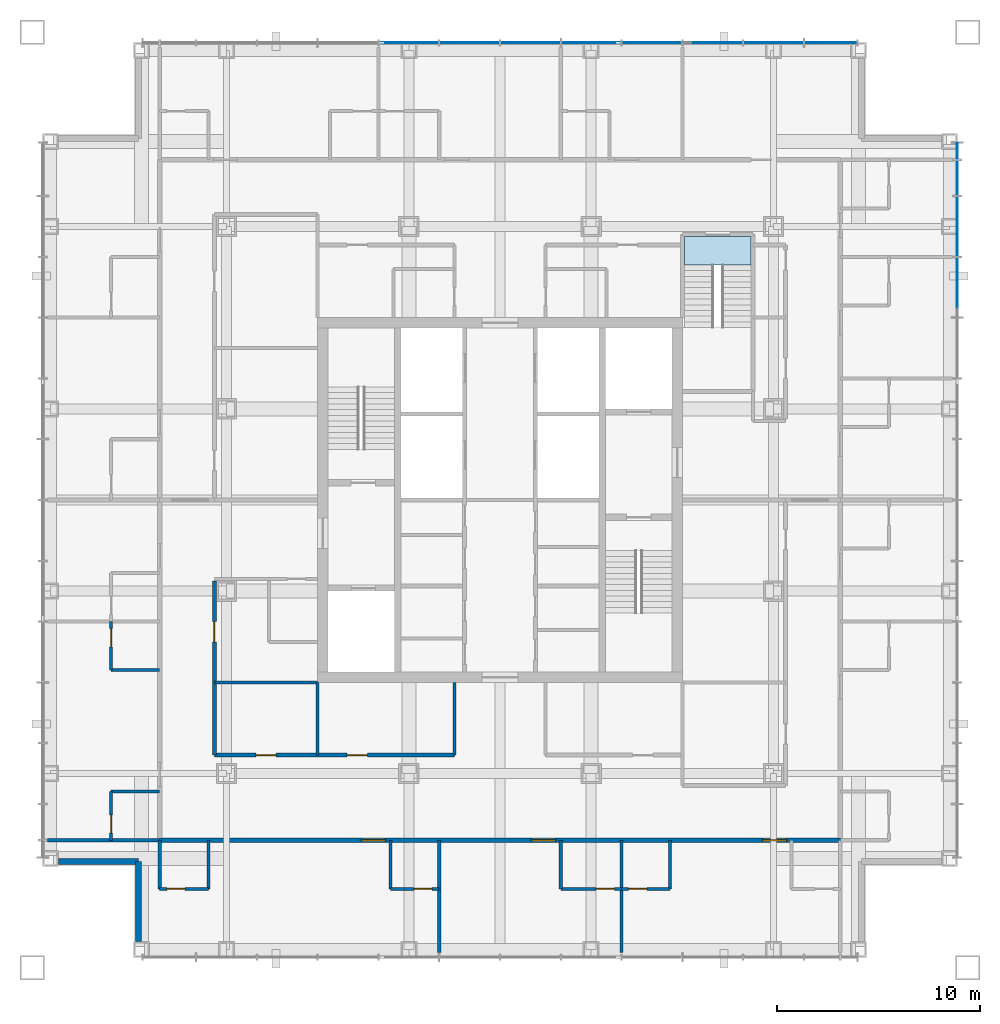
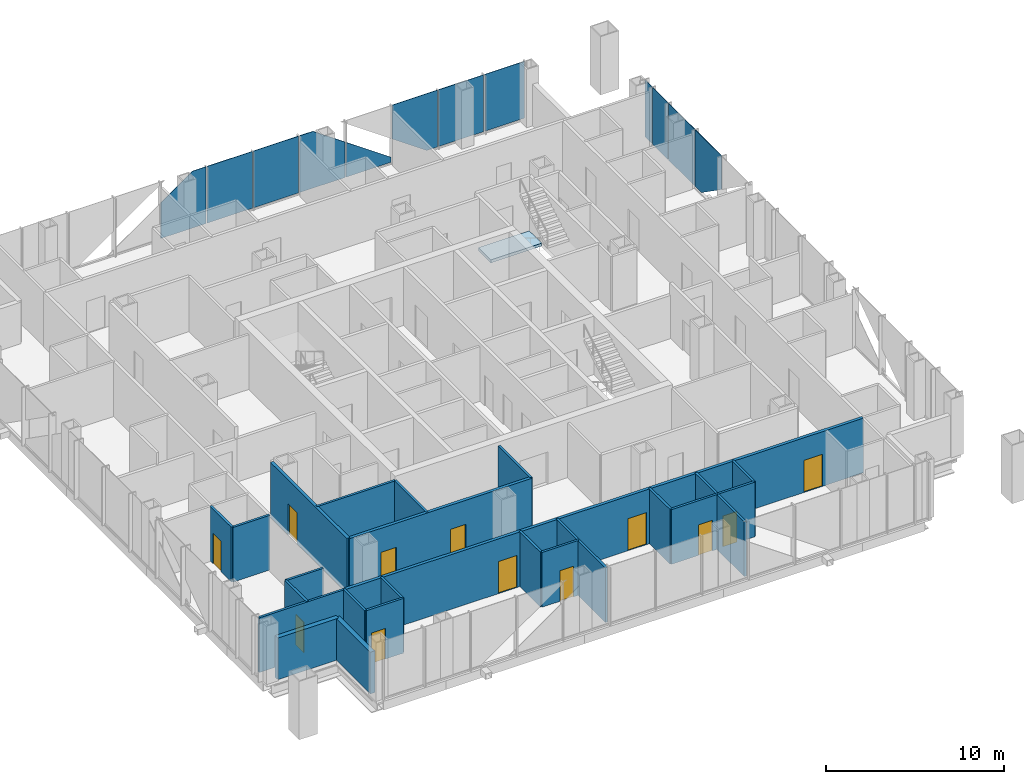
# One storey, part 7 of 17: 24 walls, 12 doors, 12 plates, 1 slab, 12 openings, 3 elements without a shape of their own.
"""IFC4 building model written with IfcOpenShell, lengths in metres."""

from ifc_helpers import new_model, si_unit, direction, frame, frame_2d, origin, origin_2d, place, context, subcontext, project, spatial, polyline, rectangle, outline, extrude, material, layer, layer_set, type_object, element, fill, aggregate, save


model = new_model("IFC4")

# Units and contexts
model_context = context("Model", 3, precision=1e-05, world=origin(), true_north=direction((0.0, 1.0)))
body_context = subcontext(model_context, "Body", "Model", "MODEL_VIEW")
ifc_project = project(units=[si_unit("LENGTHUNIT", "METRE"), si_unit("AREAUNIT", "SQUARE_METRE"), si_unit("VOLUMEUNIT", "CUBIC_METRE"), si_unit("PLANEANGLEUNIT", "RADIAN"), si_unit("MASSUNIT", "GRAM", prefix="KILO")], contexts=[model_context])

# Site, building, storey
site_placement = place(None, origin())
site = spatial("IfcSite", under=ifc_project, at=site_placement, CompositionType="ELEMENT")
building_placement = place(site_placement, origin())
building = spatial("IfcBuilding", under=site, at=building_placement, Name="Malebo Sky Hospital", CompositionType="ELEMENT")
storey_placement = place(building_placement, frame((0.0, 0.0, 185.0)))
storey = spatial("IfcBuildingStorey", under=building, at=storey_placement, Name="L44", CompositionType="ELEMENT", Elevation=185.0)

# Stair, slab
ifc_material_1 = material(Name="Concrete C40/50", Category="concrete")
stair_type = type_object("IfcStairType", Name="HALF-TURN STAIR 1400 R167", PredefinedType="HALF_TURN_STAIR", material=ifc_material_1)
stair_placement = place(storey_placement, origin())
stair = element("IfcStair", 1, at=stair_placement, inside=storey, type_object=stair_type, Name="Stair S3 L44 type ST1B", PredefinedType="HALF_TURN_STAIR")
ifc_layer_1 = layer(ifc_material_1, 0.199951171875)
ifc_layer_set_1 = layer_set([ifc_layer_1], Name="STAIR LANDING 200")
slab_type = type_object("IfcSlabType", Name="STAIR LANDING 200", PredefinedType="LANDING", material=ifc_layer_set_1)
slab_placement = place(storey_placement, frame((0.0, 0.0, -0.199951171875)))
slab = element("IfcSlab", 2, at=slab_placement, type_object=slab_type, Name="S3 landing 1", PredefinedType="LANDING", context=body_context, shape_type="SweptSolid", body=[
    extrude(outline(polyline([(69.10009765625, 73.60009765625), (72.39990234375, 73.60009765625), (72.39990234375, 75.0), (69.10009765625, 75.0), (69.10009765625, 73.60009765625)])), origin(), (0.0, 0.0, 1.0), 0.199951171875),
])
aggregate(stair, [slab])

# Curtain wall, plates
ifc_material_2 = material(Name="Anodised aluminium, natural silver", Category="aluminium")
ifc_layer_2 = layer(ifc_material_2, 0.25)
ifc_layer_set_2 = layer_set([ifc_layer_2], Name="WARD CURTAIN WALL NORTH AND SOUTH")
curtain_wall_type_1 = type_object("IfcCurtainWallType", Name="WARD CURTAIN WALL NORTH AND SOUTH", PredefinedType="NOTDEFINED", material=ifc_layer_set_2)
curtain_wall_1_placement = place(storey_placement, origin())
curtain_wall_1 = element("IfcCurtainWall", 3, at=curtain_wall_1_placement, inside=storey, type_object=curtain_wall_type_1, Name="NS curtain wall N", PredefinedType="NOTDEFINED")
ifc_material_3 = material(Name="Clear low-iron double glazing", Category="glass")
ifc_layer_3 = layer(ifc_material_3, 0.031982421875)
ifc_layer_set_3 = layer_set([ifc_layer_3], Name="VISION PANEL CLEAR 32")
plate_type = type_object("IfcPlateType", Name="VISION PANEL CLEAR 32", PredefinedType="CURTAIN_PANEL", material=ifc_layer_set_3)
plate_1_placement = place(storey_placement, frame((55.5, 84.574951171875, 0.10009765625), z_axis=(0.0, 0.0, 1.0), x_axis=(1.0, 0.0, 0.0)))
plate_1 = element("IfcPlate", 4, at=plate_1_placement, type_object=plate_type, Name="Panel 6", PredefinedType="CURTAIN_PANEL", context=body_context, shape_type="SweptSolid", body=[
    extrude(outline(polyline([(-1.46240234375, 0.0), (1.46240234375, 0.0), (1.46240234375, 3.889892578125), (0.594970703125, 3.889892578125), (-1.46240234375, 2.44482421875), (-1.46240234375, 0.0)])), frame((0.0, 0.01611328125, 0.0), z_axis=(0.0, -1.0, 0.0), x_axis=(1.0, 0.0, 0.0)), (0.0, 0.0, 1.0), 0.031982421875),
])
plate_2_placement = place(storey_placement, frame((58.5, 84.574951171875, 0.10009765625), z_axis=(0.0, 0.0, 1.0), x_axis=(1.0, 0.0, 0.0)))
plate_2 = element("IfcPlate", 5, at=plate_2_placement, type_object=plate_type, Name="Panel 7", PredefinedType="CURTAIN_PANEL", context=body_context, shape_type="SweptSolid", body=[
    extrude(rectangle(XDim=2.925048828125, YDim=0.031982421875, at=origin_2d()), origin(), (0.0, 0.0, 1.0), 3.889892578125),
])
plate_3_placement = place(storey_placement, frame((61.5, 84.574951171875, 0.10009765625), z_axis=(0.0, 0.0, 1.0), x_axis=(1.0, 0.0, 0.0)))
plate_3 = element("IfcPlate", 6, at=plate_3_placement, type_object=plate_type, Name="Panel 8", PredefinedType="CURTAIN_PANEL", context=body_context, shape_type="SweptSolid", body=[
    extrude(rectangle(XDim=2.925048828125, YDim=0.031982421875, at=origin_2d()), origin(), (0.0, 0.0, 1.0), 3.889892578125),
])
plate_4_placement = place(storey_placement, frame((64.5, 84.574951171875, 0.10009765625), z_axis=(0.0, 0.0, 1.0), x_axis=(1.0, 0.0, 0.0)))
plate_4 = element("IfcPlate", 7, at=plate_4_placement, type_object=plate_type, Name="Panel 9", PredefinedType="CURTAIN_PANEL", context=body_context, shape_type="SweptSolid", body=[
    extrude(outline(polyline([(-1.46240234375, 0.0), (1.46240234375, 0.0), (1.46240234375, 2.44482421875), (-0.594970703125, 3.889892578125), (-1.46240234375, 3.889892578125), (-1.46240234375, 0.0)])), frame((0.0, 0.01611328125, 0.0), z_axis=(0.0, -1.0, 0.0), x_axis=(1.0, 0.0, 0.0)), (0.0, 0.0, 1.0), 0.031982421875),
])
plate_5_placement = place(storey_placement, frame((67.5, 84.574951171875, 0.10009765625), z_axis=(0.0, 0.0, 1.0), x_axis=(1.0, 0.0, 0.0)))
plate_5 = element("IfcPlate", 8, at=plate_5_placement, type_object=plate_type, Name="Panel 10", PredefinedType="CURTAIN_PANEL", context=body_context, shape_type="SweptSolid", body=[
    extrude(outline(polyline([(-1.46240234375, 0.0), (1.46240234375, 0.0), (1.46240234375, 0.337646484375), (-1.46240234375, 2.39208984375), (-1.46240234375, 0.0)])), frame((0.0, 0.01611328125, 0.0), z_axis=(0.0, -1.0, 0.0), x_axis=(1.0, 0.0, 0.0)), (0.0, 0.0, 1.0), 0.031982421875),
])
plate_6_placement = place(storey_placement, frame((70.5, 84.574951171875, 0.10009765625), z_axis=(0.0, 0.0, 1.0), x_axis=(1.0, 0.0, 0.0)))
plate_6 = element("IfcPlate", 9, at=plate_6_placement, type_object=plate_type, Name="Panel 11", PredefinedType="CURTAIN_PANEL", context=body_context, shape_type="SweptSolid", body=[
    extrude(outline(polyline([(0.77197265625, 0.0), (1.46240234375, 0.0), (1.46240234375, 3.889892578125), (-1.46240234375, 3.889892578125), (-1.46240234375, 1.5693359375), (0.77197265625, 0.0)])), frame((0.0, 0.01611328125, 0.0), z_axis=(0.0, -1.0, 0.0), x_axis=(1.0, 0.0, 0.0)), (0.0, 0.0, 1.0), 0.031982421875),
])
plate_7_placement = place(storey_placement, frame((73.5, 84.574951171875, 0.10009765625), z_axis=(0.0, 0.0, 1.0), x_axis=(1.0, 0.0, 0.0)))
plate_7 = element("IfcPlate", 10, at=plate_7_placement, type_object=plate_type, Name="Panel 12", PredefinedType="CURTAIN_PANEL", context=body_context, shape_type="SweptSolid", body=[
    extrude(rectangle(XDim=2.925048828125, YDim=0.031982421875, at=origin_2d()), origin(), (0.0, 0.0, 1.0), 3.889892578125),
])
plate_8_placement = place(storey_placement, frame((76.331298828125, 84.574951171875, 0.10009765625), z_axis=(0.0, 0.0, 1.0), x_axis=(1.0, 0.0, 0.0)))
plate_8 = element("IfcPlate", 11, at=plate_8_placement, type_object=plate_type, Name="Panel 13", PredefinedType="CURTAIN_PANEL", context=body_context, shape_type="SweptSolid", body=[
    extrude(rectangle(XDim=2.58740234375, YDim=0.031982421875, at=origin_2d()), origin(), (0.0, 0.0, 1.0), 3.889892578125),
])
aggregate(curtain_wall_1, [plate_1, plate_2, plate_3, plate_4, plate_5, plate_6, plate_7, plate_8])

ifc_layer_4 = layer(ifc_material_2, 0.25)
ifc_layer_set_4 = layer_set([ifc_layer_4], Name="WARD CURTAIN WALL EAST AND WEST")
curtain_wall_type_2 = type_object("IfcCurtainWallType", Name="WARD CURTAIN WALL EAST AND WEST", PredefinedType="NOTDEFINED", material=ifc_layer_set_4)
curtain_wall_2_placement = place(storey_placement, origin())
curtain_wall_2 = element("IfcCurtainWall", 12, at=curtain_wall_2_placement, inside=storey, type_object=curtain_wall_type_2, Name="EW curtain wall E", PredefinedType="NOTDEFINED")
plate_9_placement = place(storey_placement, frame((82.574951171875, 79.231201171875, 0.10009765625), z_axis=(0.0, 0.0, 1.0), x_axis=(0.0, -1.0, 0.0)))
plate_9 = element("IfcPlate", 13, at=plate_9_placement, type_object=plate_type, Name="Panel 1", PredefinedType="CURTAIN_PANEL", context=body_context, shape_type="SweptSolid", body=[
    extrude(rectangle(XDim=0.78759765625, YDim=0.031982421875, at=origin_2d()), origin(), (0.0, 0.0, 1.0), 3.889892578125),
])
plate_10_placement = place(storey_placement, frame((82.574951171875, 77.89990234375, 0.10009765625), z_axis=(0.0, 0.0, 1.0), x_axis=(0.0, -1.0, 0.0)))
plate_10 = element("IfcPlate", 14, at=plate_10_placement, type_object=plate_type, Name="Panel 2", PredefinedType="CURTAIN_PANEL", context=body_context, shape_type="SweptSolid", body=[
    extrude(rectangle(XDim=1.72509765625, YDim=0.031982421875, at=origin_2d()), origin(), (0.0, 0.0, 1.0), 3.889892578125),
])
plate_11_placement = place(storey_placement, frame((82.574951171875, 75.5, 0.10009765625), z_axis=(0.0, 0.0, 1.0), x_axis=(0.0, -1.0, 0.0)))
plate_11 = element("IfcPlate", 15, at=plate_11_placement, type_object=plate_type, Name="Panel 3", PredefinedType="CURTAIN_PANEL", context=body_context, shape_type="SweptSolid", body=[
    extrude(rectangle(XDim=2.925048828125, YDim=0.031982421875, at=origin_2d()), origin(), (0.0, 0.0, 1.0), 3.889892578125),
])
plate_12_placement = place(storey_placement, frame((82.574951171875, 72.5, 0.10009765625), z_axis=(0.0, 0.0, 1.0), x_axis=(0.0, -1.0, 0.0)))
plate_12 = element("IfcPlate", 16, at=plate_12_placement, type_object=plate_type, Name="Panel 4", PredefinedType="CURTAIN_PANEL", context=body_context, shape_type="SweptSolid", body=[
    extrude(outline(polyline([(-1.46240234375, 0.0), (-0.77197265625, 0.0), (1.46240234375, 1.5693359375), (1.46240234375, 3.889892578125), (-1.46240234375, 3.889892578125), (-1.46240234375, 0.0)])), frame((0.0, 0.01611328125, 0.0), z_axis=(0.0, -1.0, 0.0), x_axis=(1.0, 0.0, 0.0)), (0.0, 0.0, 1.0), 0.031982421875),
])
aggregate(curtain_wall_2, [plate_9, plate_10, plate_11, plate_12])

# Wall, opening, door
ifc_material_4 = material(Name="Gypsum board on steel studs", Category="steel")
ifc_layer_5 = layer(ifc_material_4, 0.199951171875)
ifc_layer_set_5 = layer_set([ifc_layer_5], Name="CORRIDOR WALL 200")
wall_type_1 = type_object("IfcWallType", Name="CORRIDOR WALL 200", PredefinedType="PARTITIONING", material=ifc_layer_set_5)
wall_1_placement = place(storey_placement, frame((45.89990234375, 49.39990234375, 0.0), z_axis=(0.0, 0.0, 1.0), x_axis=(0.0, 1.0, 0.0)))
wall_1 = element("IfcWall", 17, at=wall_1_placement, inside=storey, type_object=wall_type_1, Name="Corridor Wall 200 WCI1", PredefinedType="PARTITIONING", context=body_context, shape_type="SweptSolid", body=[
    extrude(rectangle(XDim=8.60009765625, YDim=0.199951171875, at=frame_2d((4.300048828125, 0.0))), origin(), (0.0, 0.0, 1.0), 3.75),
])
opening_1_placement = place(wall_1_placement, frame((5.60009765625, 0.0, 0.0)))
opening_1 = element("IfcOpeningElement", 18, at=opening_1_placement, cuts=wall_1, Name="Opening D03", PredefinedType="OPENING", context=body_context, shape_type="SweptSolid", body=[
    extrude(rectangle(XDim=1.0, YDim=2.10009765625, at=frame_2d((0.5, 1.050048828125))), frame((0.0, 0.10986328125, 0.0), z_axis=(0.0, -1.0, 0.0), x_axis=(1.0, 0.0, 0.0)), (0.0, 0.0, 1.0), 0.219970703125),
])
ifc_material_5 = material(Name="Hardwood-faced door leaf in steel frame", Category="steel")
door_type_1 = type_object("IfcDoorType", Name="ROOM DOOR 1000", OperationType="SINGLE_SWING_LEFT", PredefinedType="DOOR", material=ifc_material_5)
door_1_placement = place(opening_1_placement, origin())
door_1 = element("IfcDoor", 19, at=door_1_placement, inside=storey, type_object=door_type_1, Name="Linen store door", OperationType="SINGLE_SWING_LEFT", OverallHeight=2.10009765625, OverallWidth=1.0, PredefinedType="DOOR", context=body_context, shape_type="SweptSolid", body=[
    extrude(rectangle(XDim=1.0, YDim=2.10009765625, at=frame_2d((0.5, 1.050048828125))), frame((0.0, 0.02490234375, 0.0), z_axis=(0.0, -1.0, 0.0), x_axis=(1.0, 0.0, 0.0)), (0.0, 0.0, 1.0), 0.050048828125),
])
fill(opening_1, door_1)

# Wall, openings, doors
wall_2_placement = place(storey_placement, frame((76.800048828125, 45.199951171875, 0.0), z_axis=(0.0, 0.0, 1.0), x_axis=(-1.0, 0.0, 0.0)))
wall_2 = element("IfcWall", 20, at=wall_2_placement, inside=storey, type_object=wall_type_1, Name="Corridor Wall 200 SCO", PredefinedType="PARTITIONING", context=body_context, shape_type="SweptSolid", body=[
    extrude(rectangle(XDim=33.60009765625, YDim=0.199951171875, at=frame_2d((16.800048828125, 0.0))), origin(), (0.0, 0.0, 1.0), 3.75),
])
opening_2_placement = place(wall_2_placement, frame((2.64990234375, 0.0, 0.0)))
opening_2 = element("IfcOpeningElement", 21, at=opening_2_placement, cuts=wall_2, Name="Opening D01", PredefinedType="OPENING", context=body_context, shape_type="SweptSolid", body=[
    extrude(rectangle(XDim=1.199951171875, YDim=2.199951171875, at=frame_2d((0.60009765625, 1.10009765625))), frame((0.0, 0.10986328125, 0.0), z_axis=(0.0, -1.0, 0.0), x_axis=(1.0, 0.0, 0.0)), (0.0, 0.0, 1.0), 0.219970703125),
])
opening_3_placement = place(wall_2_placement, frame((14.050048828125, 0.0, 0.0)))
opening_3 = element("IfcOpeningElement", 22, at=opening_3_placement, cuts=wall_2, Name="Opening D01", PredefinedType="OPENING", context=body_context, shape_type="SweptSolid", body=[
    extrude(rectangle(XDim=1.199951171875, YDim=2.199951171875, at=frame_2d((0.60009765625, 1.10009765625))), frame((0.0, 0.10986328125, 0.0), z_axis=(0.0, -1.0, 0.0), x_axis=(1.0, 0.0, 0.0)), (0.0, 0.0, 1.0), 0.219970703125),
])
opening_4_placement = place(wall_2_placement, frame((22.449951171875, 0.0, 0.0)))
opening_4 = element("IfcOpeningElement", 23, at=opening_4_placement, cuts=wall_2, Name="Opening D01", PredefinedType="OPENING", context=body_context, shape_type="SweptSolid", body=[
    extrude(rectangle(XDim=1.199951171875, YDim=2.199951171875, at=frame_2d((0.60009765625, 1.10009765625))), frame((0.0, 0.10986328125, 0.0), z_axis=(0.0, -1.0, 0.0), x_axis=(1.0, 0.0, 0.0)), (0.0, 0.0, 1.0), 0.219970703125),
])
door_type_2 = type_object("IfcDoorType", Name="BED DOOR 1200", OperationType="SINGLE_SWING_LEFT", PredefinedType="DOOR", material=ifc_material_5)
door_2_placement = place(opening_2_placement, origin())
door_2 = element("IfcDoor", 24, at=door_2_placement, inside=storey, type_object=door_type_2, Name="Four-bed bay door", OperationType="SINGLE_SWING_LEFT", OverallHeight=2.199951171875, OverallWidth=1.199951171875, PredefinedType="DOOR", context=body_context, shape_type="SweptSolid", body=[
    extrude(rectangle(XDim=1.199951171875, YDim=2.199951171875, at=frame_2d((0.60009765625, 1.10009765625))), frame((0.0, 0.02490234375, 0.0), z_axis=(0.0, -1.0, 0.0), x_axis=(1.0, 0.0, 0.0)), (0.0, 0.0, 1.0), 0.050048828125),
])
fill(opening_2, door_2)
door_3_placement = place(opening_3_placement, origin())
door_3 = element("IfcDoor", 25, at=door_3_placement, inside=storey, type_object=door_type_2, Name="Two-bed room door", OperationType="SINGLE_SWING_LEFT", OverallHeight=2.199951171875, OverallWidth=1.199951171875, PredefinedType="DOOR", context=body_context, shape_type="SweptSolid", body=[
    extrude(rectangle(XDim=1.199951171875, YDim=2.199951171875, at=frame_2d((0.60009765625, 1.10009765625))), frame((0.0, 0.02490234375, 0.0), z_axis=(0.0, -1.0, 0.0), x_axis=(1.0, 0.0, 0.0)), (0.0, 0.0, 1.0), 0.050048828125),
])
fill(opening_3, door_3)
door_4_placement = place(opening_4_placement, origin())
door_4 = element("IfcDoor", 26, at=door_4_placement, inside=storey, type_object=door_type_2, Name="Four-bed bay door", OperationType="SINGLE_SWING_LEFT", OverallHeight=2.199951171875, OverallWidth=1.199951171875, PredefinedType="DOOR", context=body_context, shape_type="SweptSolid", body=[
    extrude(rectangle(XDim=1.199951171875, YDim=2.199951171875, at=frame_2d((0.60009765625, 1.10009765625))), frame((0.0, 0.02490234375, 0.0), z_axis=(0.0, -1.0, 0.0), x_axis=(1.0, 0.0, 0.0)), (0.0, 0.0, 1.0), 0.050048828125),
])
fill(opening_4, door_4)

wall_3_placement = place(storey_placement, frame((57.75, 49.39990234375, 0.0), z_axis=(0.0, 0.0, 1.0), x_axis=(-1.0, 0.0, 0.0)))
wall_3 = element("IfcWall", 27, at=wall_3_placement, inside=storey, type_object=wall_type_1, Name="Corridor Wall 200 SCI2", PredefinedType="PARTITIONING", context=body_context, shape_type="SweptSolid", body=[
    extrude(rectangle(XDim=11.85009765625, YDim=0.199951171875, at=frame_2d((5.925048828125, 0.0))), origin(), (0.0, 0.0, 1.0), 3.75),
])
opening_5_placement = place(wall_3_placement, frame((4.300048828125, 0.0, 0.0)))
opening_5 = element("IfcOpeningElement", 28, at=opening_5_placement, cuts=wall_3, Name="Opening D03", PredefinedType="OPENING", context=body_context, shape_type="SweptSolid", body=[
    extrude(rectangle(XDim=1.0, YDim=2.10009765625, at=frame_2d((0.5, 1.050048828125))), frame((0.0, 0.10986328125, 0.0), z_axis=(0.0, -1.0, 0.0), x_axis=(1.0, 0.0, 0.0)), (0.0, 0.0, 1.0), 0.219970703125),
])
opening_6_placement = place(wall_3_placement, frame((8.800048828125, 0.0, 0.0)))
opening_6 = element("IfcOpeningElement", 29, at=opening_6_placement, cuts=wall_3, Name="Opening D03", PredefinedType="OPENING", context=body_context, shape_type="SweptSolid", body=[
    extrude(rectangle(XDim=1.0, YDim=2.10009765625, at=frame_2d((0.5, 1.050048828125))), frame((0.0, 0.10986328125, 0.0), z_axis=(0.0, -1.0, 0.0), x_axis=(1.0, 0.0, 0.0)), (0.0, 0.0, 1.0), 0.219970703125),
])
door_5_placement = place(opening_5_placement, origin())
door_5 = element("IfcDoor", 30, at=door_5_placement, inside=storey, type_object=door_type_1, Name="Antenatal education room door", OperationType="SINGLE_SWING_RIGHT", OverallHeight=2.10009765625, OverallWidth=1.0, PredefinedType="DOOR", context=body_context, shape_type="SweptSolid", body=[
    extrude(rectangle(XDim=1.0, YDim=2.10009765625, at=frame_2d((0.5, 1.050048828125))), frame((0.0, 0.02490234375, 0.0), z_axis=(0.0, -1.0, 0.0), x_axis=(1.0, 0.0, 0.0)), (0.0, 0.0, 1.0), 0.050048828125),
])
fill(opening_5, door_5)
door_6_placement = place(opening_6_placement, origin())
door_6 = element("IfcDoor", 31, at=door_6_placement, inside=storey, type_object=door_type_1, Name="Dirty utility room door", OperationType="SINGLE_SWING_RIGHT", OverallHeight=2.10009765625, OverallWidth=1.0, PredefinedType="DOOR", context=body_context, shape_type="SweptSolid", body=[
    extrude(rectangle(XDim=1.0, YDim=2.10009765625, at=frame_2d((0.5, 1.050048828125))), frame((0.0, 0.02490234375, 0.0), z_axis=(0.0, -1.0, 0.0), x_axis=(1.0, 0.0, 0.0)), (0.0, 0.0, 1.0), 0.050048828125),
])
fill(opening_6, door_6)

# Walls
ifc_material_6 = material(Name="Anodised aluminium rainscreen on steel framing", Category="steel")
ifc_layer_6 = layer(ifc_material_6, 0.300048828125)
ifc_layer_set_6 = layer_set([ifc_layer_6], Name="NOTCH RAINSCREEN WALL 300")
wall_type_2 = type_object("IfcWallType", Name="NOTCH RAINSCREEN WALL 300", PredefinedType="ELEMENTEDWALL", material=ifc_layer_set_6)
for number, where, z_axis, x_axis, name in (
    (32, (42.14990234375, 40.199951171875, 0.0), (0.0, 0.0, 1.0), (0.0, 1.0, 0.0), "Notch rainscreen wall S1 L44"),
    (33, (42.14990234375, 44.14990234375, 0.0), (0.0, 0.0, 1.0), (-1.0, 0.0, 0.0), "Notch rainscreen wall S2 L44"),
):
    element("IfcWall", number, at=place(storey_placement, frame(where, z_axis=z_axis, x_axis=x_axis)), inside=storey, type_object=wall_type_2, Name=name, PredefinedType="ELEMENTEDWALL", context=body_context, shape_type="SweptSolid", body=[
        extrude(rectangle(XDim=3.949951171875, YDim=0.300048828125, at=frame_2d((1.97509765625, 0.0))), origin(), (0.0, 0.0, 1.0), 2.85009765625),
    ])
ifc_layer_7 = layer(ifc_material_4, 0.14990234375)
ifc_layer_set_7 = layer_set([ifc_layer_7], Name="PARTITION 150")
wall_type_3 = type_object("IfcWallType", Name="PARTITION 150", PredefinedType="PARTITIONING", material=ifc_layer_set_7)
wall_4_placement = place(storey_placement, frame((43.199951171875, 45.199951171875, 0.0), z_axis=(0.0, 0.0, 1.0), x_axis=(-1.0, 0.0, 0.0)))
element("IfcWall", 34, at=wall_4_placement, inside=storey, type_object=wall_type_3, Name="Partition 150 WP0", PredefinedType="PARTITIONING", context=body_context, shape_type="SweptSolid", body=[
    extrude(rectangle(XDim=5.550048828125, YDim=0.14990234375, at=frame_2d((2.77490234375, 0.0))), origin(), (0.0, 0.0, 1.0), 3.75),
])

# Wall, opening, door
wall_5_placement = place(storey_placement, frame((40.800048828125, 45.199951171875, 0.0), z_axis=(0.0, 0.0, 1.0), x_axis=(0.0, 1.0, 0.0)))
wall_5 = element("IfcWall", 35, at=wall_5_placement, inside=storey, type_object=wall_type_3, Name="Partition 150 WE0F", PredefinedType="PARTITIONING", context=body_context, shape_type="SweptSolid", body=[
    extrude(rectangle(XDim=2.400146484375, YDim=0.14990234375, at=frame_2d((1.2001953125, 0.0))), origin(), (0.0, 0.0, 1.0), 3.75),
])
opening_7_placement = place(wall_5_placement, frame((0.35009765625, 0.0, 0.0)))
opening_7 = element("IfcOpeningElement", 36, at=opening_7_placement, cuts=wall_5, Name="Opening D02", PredefinedType="OPENING", context=body_context, shape_type="SweptSolid", body=[
    extrude(rectangle(XDim=0.89990234375, YDim=2.10009765625, at=frame_2d((0.449951171875, 1.050048828125))), frame((0.0, 0.0849609375, 0.0), z_axis=(0.0, -1.0, 0.0), x_axis=(1.0, 0.0, 0.0)), (0.0, 0.0, 1.0), 0.169921875),
])
door_type_3 = type_object("IfcDoorType", Name="EN-SUITE DOOR 900", OperationType="SINGLE_SWING_LEFT", PredefinedType="DOOR", material=ifc_material_5)
door_7_placement = place(opening_7_placement, origin())
door_7 = element("IfcDoor", 37, at=door_7_placement, inside=storey, type_object=door_type_3, Name="En-suite door", OperationType="SINGLE_SWING_LEFT", OverallHeight=2.10009765625, OverallWidth=0.89990234375, PredefinedType="DOOR", context=body_context, shape_type="SweptSolid", body=[
    extrude(rectangle(XDim=0.89990234375, YDim=2.10009765625, at=frame_2d((0.449951171875, 1.050048828125))), frame((0.0, 0.02490234375, 0.0), z_axis=(0.0, -1.0, 0.0), x_axis=(1.0, 0.0, 0.0)), (0.0, 0.0, 1.0), 0.050048828125),
])
fill(opening_7, door_7)

# Wall
wall_6_placement = place(storey_placement, frame((43.199951171875, 47.60009765625, 0.0), z_axis=(0.0, 0.0, 1.0), x_axis=(-1.0, 0.0, 0.0)))
element("IfcWall", 38, at=wall_6_placement, inside=storey, type_object=wall_type_3, Name="Partition 150 WE0S", PredefinedType="PARTITIONING", context=body_context, shape_type="SweptSolid", body=[
    extrude(rectangle(XDim=2.39990234375, YDim=0.14990234375, at=frame_2d((1.199951171875, 0.0))), origin(), (0.0, 0.0, 1.0), 3.75),
])

# Wall, opening, door
wall_7_placement = place(storey_placement, frame((40.800048828125, 53.60009765625, 0.0), z_axis=(0.0, 0.0, 1.0), x_axis=(0.0, 1.0, 0.0)))
wall_7 = element("IfcWall", 39, at=wall_7_placement, inside=storey, type_object=wall_type_3, Name="Partition 150 WG0F", PredefinedType="PARTITIONING", context=body_context, shape_type="SweptSolid", body=[
    extrude(rectangle(XDim=2.39990234375, YDim=0.14990234375, at=frame_2d((1.199951171875, 0.0))), origin(), (0.0, 0.0, 1.0), 3.75),
])
opening_8_placement = place(wall_7_placement, frame((1.14990234375, 0.0, 0.0)))
opening_8 = element("IfcOpeningElement", 40, at=opening_8_placement, cuts=wall_7, Name="Opening D02", PredefinedType="OPENING", context=body_context, shape_type="SweptSolid", body=[
    extrude(rectangle(XDim=0.89990234375, YDim=2.10009765625, at=frame_2d((0.449951171875, 1.050048828125))), frame((0.0, 0.0849609375, 0.0), z_axis=(0.0, -1.0, 0.0), x_axis=(1.0, 0.0, 0.0)), (0.0, 0.0, 1.0), 0.169921875),
])
door_8_placement = place(opening_8_placement, origin())
door_8 = element("IfcDoor", 41, at=door_8_placement, inside=storey, type_object=door_type_3, Name="En-suite door", OperationType="SINGLE_SWING_RIGHT", OverallHeight=2.10009765625, OverallWidth=0.89990234375, PredefinedType="DOOR", context=body_context, shape_type="SweptSolid", body=[
    extrude(rectangle(XDim=0.89990234375, YDim=2.10009765625, at=frame_2d((0.449951171875, 1.050048828125))), frame((0.0, 0.02490234375, 0.0), z_axis=(0.0, -1.0, 0.0), x_axis=(1.0, 0.0, 0.0)), (0.0, 0.0, 1.0), 0.050048828125),
])
fill(opening_8, door_8)

# Walls
wall_8_placement = place(storey_placement, frame((43.199951171875, 53.60009765625, 0.0), z_axis=(0.0, 0.0, 1.0), x_axis=(-1.0, 0.0, 0.0)))
element("IfcWall", 42, at=wall_8_placement, inside=storey, type_object=wall_type_3, Name="Partition 150 WG0S", PredefinedType="PARTITIONING", context=body_context, shape_type="SweptSolid", body=[
    extrude(rectangle(XDim=2.39990234375, YDim=0.14990234375, at=frame_2d((1.199951171875, 0.0))), origin(), (0.0, 0.0, 1.0), 3.75),
])
wall_9_placement = place(storey_placement, frame((51.0, 53.0, 0.0), z_axis=(0.0, 0.0, 1.0), x_axis=(-1.0, 0.0, 0.0)))
element("IfcWall", 43, at=wall_9_placement, inside=storey, type_object=wall_type_3, Name="Partition 150 WSP0", PredefinedType="PARTITIONING", context=body_context, shape_type="SweptSolid", body=[
    extrude(rectangle(XDim=5.10009765625, YDim=0.14990234375, at=frame_2d((2.550048828125, 0.0))), origin(), (0.0, 0.0, 1.0), 3.75),
])
for number, where, z_axis, x_axis, name in (
    (44, (66.0, 45.199951171875, 0.0), (0.0, 0.0, 1.0), (0.0, -1.0, 0.0), "Partition 150 SP-6.0"),
    (45, (57.0, 45.199951171875, 0.0), (0.0, 0.0, 1.0), (0.0, -1.0, 0.0), "Partition 150 SP+3.0"),
):
    element("IfcWall", number, at=place(storey_placement, frame(where, z_axis=z_axis, x_axis=x_axis)), inside=storey, type_object=wall_type_3, Name=name, PredefinedType="PARTITIONING", context=body_context, shape_type="SweptSolid", body=[
        extrude(rectangle(XDim=5.550048828125, YDim=0.14990234375, at=frame_2d((2.77490234375, 0.0))), origin(), (0.0, 0.0, 1.0), 3.75),
    ])

# Wall, opening, door
wall_10_placement = place(storey_placement, frame((68.39990234375, 42.800048828125, 0.0), z_axis=(0.0, 0.0, 1.0), x_axis=(-1.0, 0.0, 0.0)))
wall_10 = element("IfcWall", 46, at=wall_10_placement, inside=storey, type_object=wall_type_3, Name="Partition 150 SG0F", PredefinedType="PARTITIONING", context=body_context, shape_type="SweptSolid", body=[
    extrude(rectangle(XDim=2.39990234375, YDim=0.14990234375, at=frame_2d((1.199951171875, 0.0))), origin(), (0.0, 0.0, 1.0), 3.75),
])
opening_9_placement = place(wall_10_placement, frame((1.14990234375, 0.0, 0.0)))
opening_9 = element("IfcOpeningElement", 47, at=opening_9_placement, cuts=wall_10, Name="Opening D02", PredefinedType="OPENING", context=body_context, shape_type="SweptSolid", body=[
    extrude(rectangle(XDim=0.89990234375, YDim=2.10009765625, at=frame_2d((0.449951171875, 1.050048828125))), frame((0.0, 0.0849609375, 0.0), z_axis=(0.0, -1.0, 0.0), x_axis=(1.0, 0.0, 0.0)), (0.0, 0.0, 1.0), 0.169921875),
])
door_9_placement = place(opening_9_placement, origin())
door_9 = element("IfcDoor", 48, at=door_9_placement, inside=storey, type_object=door_type_3, Name="En-suite door", OperationType="SINGLE_SWING_RIGHT", OverallHeight=2.10009765625, OverallWidth=0.89990234375, PredefinedType="DOOR", context=body_context, shape_type="SweptSolid", body=[
    extrude(rectangle(XDim=0.89990234375, YDim=2.10009765625, at=frame_2d((0.449951171875, 1.050048828125))), frame((0.0, 0.02490234375, 0.0), z_axis=(0.0, -1.0, 0.0), x_axis=(1.0, 0.0, 0.0)), (0.0, 0.0, 1.0), 0.050048828125),
])
fill(opening_9, door_9)

# Wall
wall_11_placement = place(storey_placement, frame((68.39990234375, 45.199951171875, 0.0), z_axis=(0.0, 0.0, 1.0), x_axis=(0.0, -1.0, 0.0)))
element("IfcWall", 49, at=wall_11_placement, inside=storey, type_object=wall_type_3, Name="Partition 150 SG0S", PredefinedType="PARTITIONING", context=body_context, shape_type="SweptSolid", body=[
    extrude(rectangle(XDim=2.39990234375, YDim=0.14990234375, at=frame_2d((1.199951171875, 0.0))), origin(), (0.0, 0.0, 1.0), 3.75),
])

# Wall, opening, door
wall_12_placement = place(storey_placement, frame((66.0, 42.800048828125, 0.0), z_axis=(0.0, 0.0, 1.0), x_axis=(-1.0, 0.0, 0.0)))
wall_12 = element("IfcWall", 50, at=wall_12_placement, inside=storey, type_object=wall_type_3, Name="Partition 150 SE1F", PredefinedType="PARTITIONING", context=body_context, shape_type="SweptSolid", body=[
    extrude(rectangle(XDim=3.0, YDim=0.14990234375, at=frame_2d((1.5, 0.0))), origin(), (0.0, 0.0, 1.0), 3.75),
])
opening_10_placement = place(wall_12_placement, frame((0.35009765625, 0.0, 0.0)))
opening_10 = element("IfcOpeningElement", 51, at=opening_10_placement, cuts=wall_12, Name="Opening D02", PredefinedType="OPENING", context=body_context, shape_type="SweptSolid", body=[
    extrude(rectangle(XDim=0.89990234375, YDim=2.10009765625, at=frame_2d((0.449951171875, 1.050048828125))), frame((0.0, 0.0849609375, 0.0), z_axis=(0.0, -1.0, 0.0), x_axis=(1.0, 0.0, 0.0)), (0.0, 0.0, 1.0), 0.169921875),
])
door_10_placement = place(opening_10_placement, origin())
door_10 = element("IfcDoor", 52, at=door_10_placement, inside=storey, type_object=door_type_3, Name="En-suite door", OperationType="SINGLE_SWING_LEFT", OverallHeight=2.10009765625, OverallWidth=0.89990234375, PredefinedType="DOOR", context=body_context, shape_type="SweptSolid", body=[
    extrude(rectangle(XDim=0.89990234375, YDim=2.10009765625, at=frame_2d((0.449951171875, 1.050048828125))), frame((0.0, 0.02490234375, 0.0), z_axis=(0.0, -1.0, 0.0), x_axis=(1.0, 0.0, 0.0)), (0.0, 0.0, 1.0), 0.050048828125),
])
fill(opening_10, door_10)

# Wall
wall_13_placement = place(storey_placement, frame((63.0, 45.199951171875, 0.0), z_axis=(0.0, 0.0, 1.0), x_axis=(0.0, -1.0, 0.0)))
element("IfcWall", 53, at=wall_13_placement, inside=storey, type_object=wall_type_3, Name="Partition 150 SE1S", PredefinedType="PARTITIONING", context=body_context, shape_type="SweptSolid", body=[
    extrude(rectangle(XDim=2.39990234375, YDim=0.14990234375, at=frame_2d((1.199951171875, 0.0))), origin(), (0.0, 0.0, 1.0), 3.75),
])

# Wall, opening, door
wall_14_placement = place(storey_placement, frame((57.0, 42.800048828125, 0.0), z_axis=(0.0, 0.0, 1.0), x_axis=(-1.0, 0.0, 0.0)))
wall_14 = element("IfcWall", 54, at=wall_14_placement, inside=storey, type_object=wall_type_3, Name="Partition 150 SE2F", PredefinedType="PARTITIONING", context=body_context, shape_type="SweptSolid", body=[
    extrude(rectangle(XDim=2.39990234375, YDim=0.14990234375, at=frame_2d((1.199951171875, 0.0))), origin(), (0.0, 0.0, 1.0), 3.75),
])
opening_11_placement = place(wall_14_placement, frame((0.35009765625, 0.0, 0.0)))
opening_11 = element("IfcOpeningElement", 55, at=opening_11_placement, cuts=wall_14, Name="Opening D02", PredefinedType="OPENING", context=body_context, shape_type="SweptSolid", body=[
    extrude(rectangle(XDim=0.89990234375, YDim=2.10009765625, at=frame_2d((0.449951171875, 1.050048828125))), frame((0.0, 0.0849609375, 0.0), z_axis=(0.0, -1.0, 0.0), x_axis=(1.0, 0.0, 0.0)), (0.0, 0.0, 1.0), 0.169921875),
])
door_11_placement = place(opening_11_placement, origin())
door_11 = element("IfcDoor", 56, at=door_11_placement, inside=storey, type_object=door_type_3, Name="En-suite door", OperationType="SINGLE_SWING_LEFT", OverallHeight=2.10009765625, OverallWidth=0.89990234375, PredefinedType="DOOR", context=body_context, shape_type="SweptSolid", body=[
    extrude(rectangle(XDim=0.89990234375, YDim=2.10009765625, at=frame_2d((0.449951171875, 1.050048828125))), frame((0.0, 0.02490234375, 0.0), z_axis=(0.0, -1.0, 0.0), x_axis=(1.0, 0.0, 0.0)), (0.0, 0.0, 1.0), 0.050048828125),
])
fill(opening_11, door_11)

# Wall
wall_15_placement = place(storey_placement, frame((54.60009765625, 45.199951171875, 0.0), z_axis=(0.0, 0.0, 1.0), x_axis=(0.0, -1.0, 0.0)))
element("IfcWall", 57, at=wall_15_placement, inside=storey, type_object=wall_type_3, Name="Partition 150 SE2S", PredefinedType="PARTITIONING", context=body_context, shape_type="SweptSolid", body=[
    extrude(rectangle(XDim=2.39990234375, YDim=0.14990234375, at=frame_2d((1.199951171875, 0.0))), origin(), (0.0, 0.0, 1.0), 3.75),
])

# Wall, opening, door
wall_16_placement = place(storey_placement, frame((45.60009765625, 42.800048828125, 0.0), z_axis=(0.0, 0.0, 1.0), x_axis=(-1.0, 0.0, 0.0)))
wall_16 = element("IfcWall", 58, at=wall_16_placement, inside=storey, type_object=wall_type_3, Name="Partition 150 SG2F", PredefinedType="PARTITIONING", context=body_context, shape_type="SweptSolid", body=[
    extrude(rectangle(XDim=2.400146484375, YDim=0.14990234375, at=frame_2d((1.2001953125, 0.0))), origin(), (0.0, 0.0, 1.0), 3.75),
])
opening_12_placement = place(wall_16_placement, frame((1.14990234375, 0.0, 0.0)))
opening_12 = element("IfcOpeningElement", 59, at=opening_12_placement, cuts=wall_16, Name="Opening D02", PredefinedType="OPENING", context=body_context, shape_type="SweptSolid", body=[
    extrude(rectangle(XDim=0.89990234375, YDim=2.10009765625, at=frame_2d((0.449951171875, 1.050048828125))), frame((0.0, 0.0849609375, 0.0), z_axis=(0.0, -1.0, 0.0), x_axis=(1.0, 0.0, 0.0)), (0.0, 0.0, 1.0), 0.169921875),
])
door_12_placement = place(opening_12_placement, origin())
door_12 = element("IfcDoor", 60, at=door_12_placement, inside=storey, type_object=door_type_3, Name="En-suite door", OperationType="SINGLE_SWING_RIGHT", OverallHeight=2.10009765625, OverallWidth=0.89990234375, PredefinedType="DOOR", context=body_context, shape_type="SweptSolid", body=[
    extrude(rectangle(XDim=0.89990234375, YDim=2.10009765625, at=frame_2d((0.449951171875, 1.050048828125))), frame((0.0, 0.02490234375, 0.0), z_axis=(0.0, -1.0, 0.0), x_axis=(1.0, 0.0, 0.0)), (0.0, 0.0, 1.0), 0.050048828125),
])
fill(opening_12, door_12)

# Walls
for number, where, z_axis, x_axis, name in (
    (61, (45.60009765625, 45.199951171875, 0.0), (0.0, 0.0, 1.0), (0.0, -1.0, 0.0), "Partition 150 SG2S"),
    (62, (43.199951171875, 45.199951171875, 0.0), (0.0, 0.0, 1.0), (0.0, -1.0, 0.0), "Partition 150 SEZ"),
):
    element("IfcWall", number, at=place(storey_placement, frame(where, z_axis=z_axis, x_axis=x_axis)), inside=storey, type_object=wall_type_3, Name=name, PredefinedType="PARTITIONING", context=body_context, shape_type="SweptSolid", body=[
        extrude(rectangle(XDim=2.39990234375, YDim=0.14990234375, at=frame_2d((1.199951171875, 0.0))), origin(), (0.0, 0.0, 1.0), 3.75),
    ])
for number, where, z_axis, x_axis, name in (
    (63, (57.75, 53.0, 0.0), (0.0, 0.0, 1.0), (0.0, -1.0, 0.0), "Partition 150 SSPB"),
    (64, (51.0, 53.0, 0.0), (0.0, 0.0, 1.0), (0.0, -1.0, 0.0), "Partition 150 SSP+9.0"),
):
    element("IfcWall", number, at=place(storey_placement, frame(where, z_axis=z_axis, x_axis=x_axis)), inside=storey, type_object=wall_type_3, Name=name, PredefinedType="PARTITIONING", context=body_context, shape_type="SweptSolid", body=[
        extrude(rectangle(XDim=3.60009765625, YDim=0.14990234375, at=frame_2d((1.800048828125, 0.0))), origin(), (0.0, 0.0, 1.0), 3.75),
    ])

save(model, "model.ifc")
